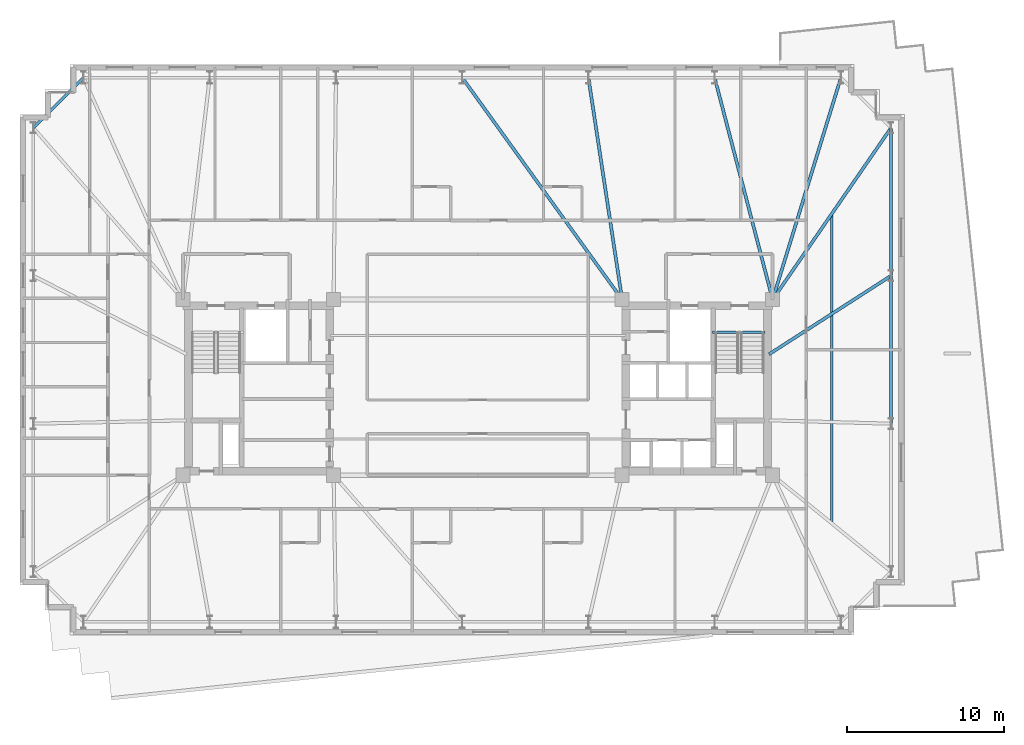
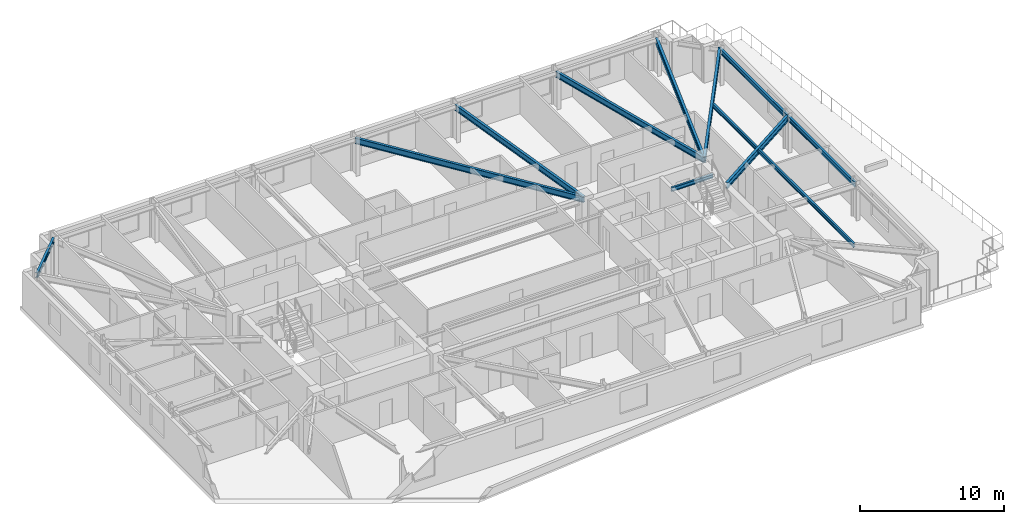
# One storey, part 6 of 19: 11 beams.
"""IFC4 building model written with IfcOpenShell, lengths in metres."""

from ifc_helpers import new_model, si_unit, direction, frame, origin, origin_2d, place, context, subcontext, project, spatial, i_section, extrude, material, material_profile, profile_set, type_object, element, save


model = new_model("IFC4")

# Units and contexts
model_context = context("Model", 3, precision=1e-05, world=origin(), true_north=direction((0.0, 1.0)))
body_context = subcontext(model_context, "Body", "Model", "MODEL_VIEW")
ifc_project = project(units=[si_unit("LENGTHUNIT", "METRE"), si_unit("AREAUNIT", "SQUARE_METRE"), si_unit("VOLUMEUNIT", "CUBIC_METRE"), si_unit("PLANEANGLEUNIT", "RADIAN"), si_unit("MASSUNIT", "GRAM", prefix="KILO")], contexts=[model_context])

# Site, building, storey
site_placement = place(None, origin())
site = spatial("IfcSite", under=ifc_project, at=site_placement, CompositionType="ELEMENT")
building_placement = place(site_placement, origin())
building = spatial("IfcBuilding", under=site, at=building_placement, Name="Qobustan Lattice House", CompositionType="ELEMENT")
storey_placement = place(building_placement, frame((0.0, 0.0, 131.0)))
storey = spatial("IfcBuildingStorey", under=building, at=storey_placement, Name="L36", CompositionType="ELEMENT", Elevation=131.0)

# Beams
ifc_material_1 = material(Name="Steel S355", Category="steel")
ifc_material_profile_1 = material_profile(ifc_material_1, i_section(OverallWidth=0.199951171875, OverallDepth=0.5, WebThickness=0.01025390625, FlangeThickness=0.01611328125, FilletRadius=0.02099609375, at=origin_2d()), Name="IPE500")
ifc_profile_set_1 = profile_set([ifc_material_profile_1], Name="Steel S355")
beam_type_1 = type_object("IfcBeamType", Name="BM-FLG-IPE500", PredefinedType="USERDEFINED", material=ifc_profile_set_1)
beam_1_placement = place(storey_placement, frame((-0.9853515625, 19.729736328125, 2.7900390625), z_axis=(0.584755393146, -0.811209670916, 0.0), x_axis=(0.811209670916, 0.584755393146, 0.0)))
element("IfcBeam", 1, at=beam_1_placement, inside=storey, type_object=beam_type_1, Name="L36 primary floor girder RAD-N4", ObjectType="GIRDER", PredefinedType="USERDEFINED", context=body_context, shape_type="SweptSolid", body=[
    extrude(i_section(OverallWidth=0.199951171875, OverallDepth=0.5, WebThickness=0.01025390625, FlangeThickness=0.01611328125, FilletRadius=0.02099609375, at=origin_2d()), origin(), (0.0, 0.0, 1.0), 17.39306640625),
])
beam_2_placement = place(storey_placement, frame((7.0537109375, 19.725341796875, 2.7900390625), z_axis=(0.150225226731, -0.988651799803, 0.0), x_axis=(0.988651799803, 0.150225226731, 0.0)))
element("IfcBeam", 2, at=beam_2_placement, inside=storey, type_object=beam_type_1, Name="L36 primary floor girder RAD-N3", ObjectType="GIRDER", PredefinedType="USERDEFINED", context=body_context, shape_type="SweptSolid", body=[
    extrude(i_section(OverallWidth=0.199951171875, OverallDepth=0.5, WebThickness=0.01025390625, FlangeThickness=0.01611328125, FilletRadius=0.02099609375, at=origin_2d()), origin(), (0.0, 0.0, 1.0), 14.262451171875),
])
beam_3_placement = place(storey_placement, frame((15.106201171875, 19.725830078125, 2.7900390625), z_axis=(0.252989153576, -0.967469114842, 0.0), x_axis=(0.967469114842, 0.252989153576, 0.0)))
element("IfcBeam", 3, at=beam_3_placement, inside=storey, type_object=beam_type_1, Name="L36 primary floor girder RAD-N2", ObjectType="GIRDER", PredefinedType="USERDEFINED", context=body_context, shape_type="SweptSolid", body=[
    extrude(i_section(OverallWidth=0.199951171875, OverallDepth=0.5, WebThickness=0.01025390625, FlangeThickness=0.01611328125, FilletRadius=0.02099609375, at=origin_2d()), origin(), (0.0, 0.0, 1.0), 14.57568359375),
])
beam_4_placement = place(storey_placement, frame((23.142578125, 19.72607421875, 2.7900390625), z_axis=(-0.293840483469, -0.955854471285, 0.0), x_axis=(0.955854471285, -0.293840483469, 0.0)))
element("IfcBeam", 4, at=beam_4_placement, inside=storey, type_object=beam_type_1, Name="L36 primary floor girder RAD-N1E", ObjectType="GIRDER", PredefinedType="USERDEFINED", context=body_context, shape_type="SweptSolid", body=[
    extrude(i_section(OverallWidth=0.199951171875, OverallDepth=0.5, WebThickness=0.01025390625, FlangeThickness=0.01611328125, FilletRadius=0.02099609375, at=origin_2d()), origin(), (0.0, 0.0, 1.0), 14.753662109375),
])
beam_5_placement = place(storey_placement, frame((26.335693359375, 16.529296875, 2.7900390625), z_axis=(-0.567643395011, -0.82327454479, 0.0), x_axis=(0.82327454479, -0.567643395011, 0.0)))
element("IfcBeam", 5, at=beam_5_placement, inside=storey, type_object=beam_type_1, Name="L36 primary floor girder RAD-E4", ObjectType="GIRDER", PredefinedType="USERDEFINED", context=body_context, shape_type="SweptSolid", body=[
    extrude(i_section(OverallWidth=0.199951171875, OverallDepth=0.5, WebThickness=0.01025390625, FlangeThickness=0.01611328125, FilletRadius=0.02099609375, at=origin_2d()), origin(), (0.0, 0.0, 1.0), 13.25048828125),
])
beam_6_placement = place(storey_placement, frame((26.3291015625, 7.103271484375, 2.7900390625), z_axis=(-0.841058920931, -0.540943519715, 0.0), x_axis=(0.540943519715, -0.841058920931, 0.0)))
element("IfcBeam", 6, at=beam_6_placement, inside=storey, type_object=beam_type_1, Name="L36 primary floor girder RAD-E3", ObjectType="GIRDER", PredefinedType="USERDEFINED", context=body_context, shape_type="SweptSolid", body=[
    extrude(i_section(OverallWidth=0.199951171875, OverallDepth=0.5, WebThickness=0.01025390625, FlangeThickness=0.01611328125, FilletRadius=0.02099609375, at=origin_2d()), origin(), (0.0, 0.0, 1.0), 9.22412109375),
])
ifc_material_2 = material(Name="Steel S355", Category="steel")
ifc_material_profile_2 = material_profile(ifc_material_2, i_section(OverallWidth=0.159912109375, OverallDepth=0.330078125, WebThickness=0.007568359375, FlangeThickness=0.011474609375, FilletRadius=0.01806640625, at=origin_2d()), Name="IPE330")
ifc_profile_set_2 = profile_set([ifc_material_profile_2], Name="Steel S355")
beam_type_2 = type_object("IfcBeamType", Name="BM-SEC-IPE330", PredefinedType="BEAM", material=ifc_profile_set_2)
beam_7_placement = place(storey_placement, frame((22.574951171875, 11.074951171875, 2.875), z_axis=(0.0, -1.0, 0.0), x_axis=(1.0, 0.0, 0.0)))
element("IfcBeam", 7, at=beam_7_placement, inside=storey, type_object=beam_type_2, Name="L36 east wing secondary beam", PredefinedType="BEAM", context=body_context, shape_type="SweptSolid", body=[
    extrude(i_section(OverallWidth=0.159912109375, OverallDepth=0.330078125, WebThickness=0.007568359375, FlangeThickness=0.011474609375, FilletRadius=0.01806640625, at=origin_2d()), origin(), (0.0, 0.0, 1.0), 19.75),
])
ifc_material_3 = material(Name="Steel S355", Category="steel")
ifc_material_profile_3 = material_profile(ifc_material_3, i_section(OverallWidth=0.159912109375, OverallDepth=0.330078125, WebThickness=0.007568359375, FlangeThickness=0.011474609375, FilletRadius=0.01806640625, at=origin_2d()), Name="IPE330")
ifc_profile_set_3 = profile_set([ifc_material_profile_3], Name="Steel S355")
beam_type_3 = type_object("IfcBeamType", Name="BM-SPD-IPE330", PredefinedType="SPANDREL", material=ifc_profile_set_3)
beam_8_placement = place(storey_placement, frame((14.949951171875, 3.52001953125, 2.875), z_axis=(1.0, 0.0, 0.0), x_axis=(0.0, 1.0, 0.0)))
element("IfcBeam", 8, at=beam_8_placement, inside=storey, type_object=beam_type_3, Name="L36 east stair landing trimmer beam", PredefinedType="SPANDREL", context=body_context, shape_type="SweptSolid", body=[
    extrude(i_section(OverallWidth=0.159912109375, OverallDepth=0.330078125, WebThickness=0.007568359375, FlangeThickness=0.011474609375, FilletRadius=0.01806640625, at=origin_2d()), origin(), (0.0, 0.0, 1.0), 3.35009765625),
])
ifc_material_4 = material(Name="Steel S355", Category="steel")
ifc_material_profile_4 = material_profile(ifc_material_4, i_section(OverallWidth=0.179931640625, OverallDepth=0.39990234375, WebThickness=0.008544921875, FlangeThickness=0.013427734375, FilletRadius=0.02099609375, at=origin_2d()), Name="IPE400")
ifc_profile_set_4 = profile_set([ifc_material_profile_4], Name="Steel S355")
beam_type_4 = type_object("IfcBeamType", Name="BM-SPD-IPE400", PredefinedType="SPANDREL", material=ifc_profile_set_4)
beam_9_placement = place(storey_placement, frame((26.35009765625, -2.291748046875, 2.840087890625), z_axis=(0.0, 1.0, 0.0), x_axis=(-1.0, 0.0, 0.0)))
element("IfcBeam", 9, at=beam_9_placement, inside=storey, type_object=beam_type_4, Name="L36 perimeter spandrel E2-E3", PredefinedType="SPANDREL", context=body_context, shape_type="SweptSolid", body=[
    extrude(i_section(OverallWidth=0.179931640625, OverallDepth=0.39990234375, WebThickness=0.008544921875, FlangeThickness=0.013427734375, FilletRadius=0.02099609375, at=origin_2d()), origin(), (0.0, 0.0, 1.0), 9.383544921875),
])
beam_10_placement = place(storey_placement, frame((26.35009765625, 7.1416015625, 2.840087890625), z_axis=(0.0, 1.0, 0.0), x_axis=(-1.0, 0.0, 0.0)))
element("IfcBeam", 10, at=beam_10_placement, inside=storey, type_object=beam_type_4, Name="L36 perimeter spandrel E3-E4", PredefinedType="SPANDREL", context=body_context, shape_type="SweptSolid", body=[
    extrude(i_section(OverallWidth=0.179931640625, OverallDepth=0.39990234375, WebThickness=0.008544921875, FlangeThickness=0.013427734375, FilletRadius=0.02099609375, at=origin_2d()), origin(), (0.0, 0.0, 1.0), 9.38330078125),
])
beam_11_placement = place(storey_placement, frame((-25.167724609375, 19.732421875, 2.840087890625), z_axis=(-0.707079505568, -0.707134055753, 0.0), x_axis=(0.707134055753, -0.707079505568, 0.0)))
element("IfcBeam", 11, at=beam_11_placement, inside=storey, type_object=beam_type_4, Name="L36 perimeter spandrel N7-W1", PredefinedType="SPANDREL", context=body_context, shape_type="SweptSolid", body=[
    extrude(i_section(OverallWidth=0.179931640625, OverallDepth=0.39990234375, WebThickness=0.008544921875, FlangeThickness=0.013427734375, FilletRadius=0.02099609375, at=origin_2d()), origin(), (0.0, 0.0, 1.0), 4.4755859375),
])

save(model, "model.ifc")
